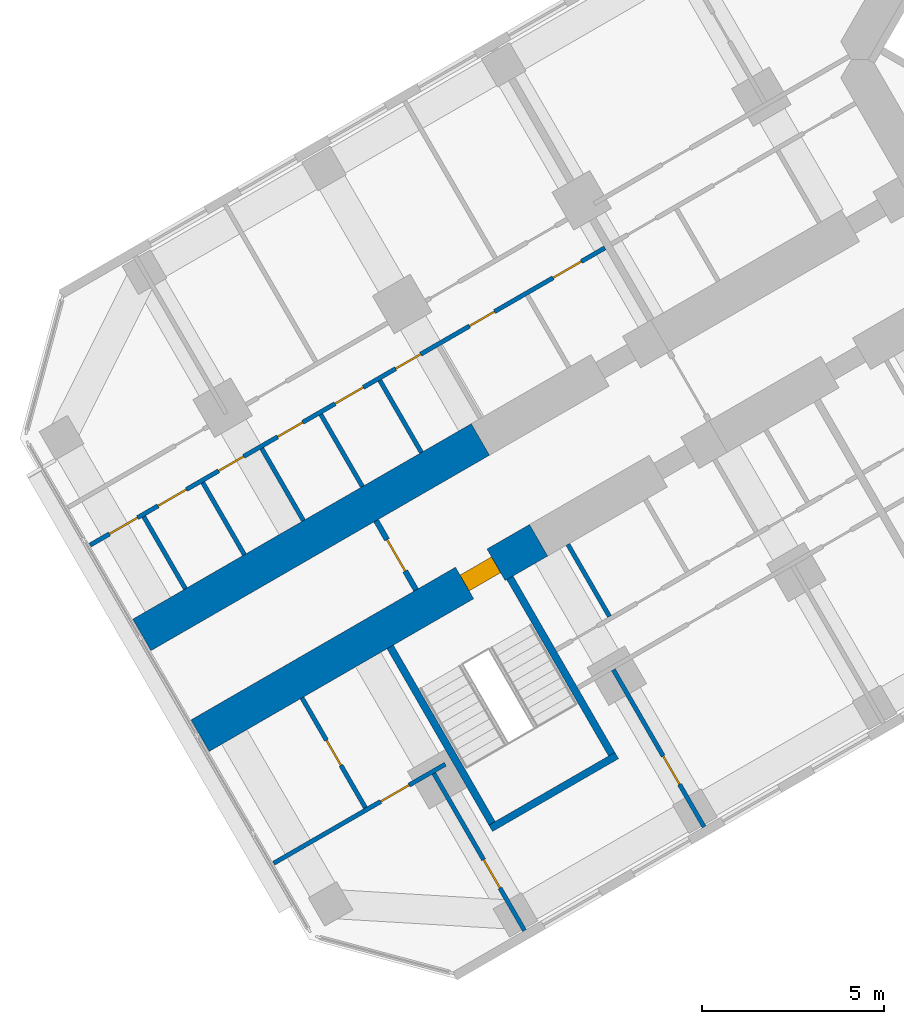
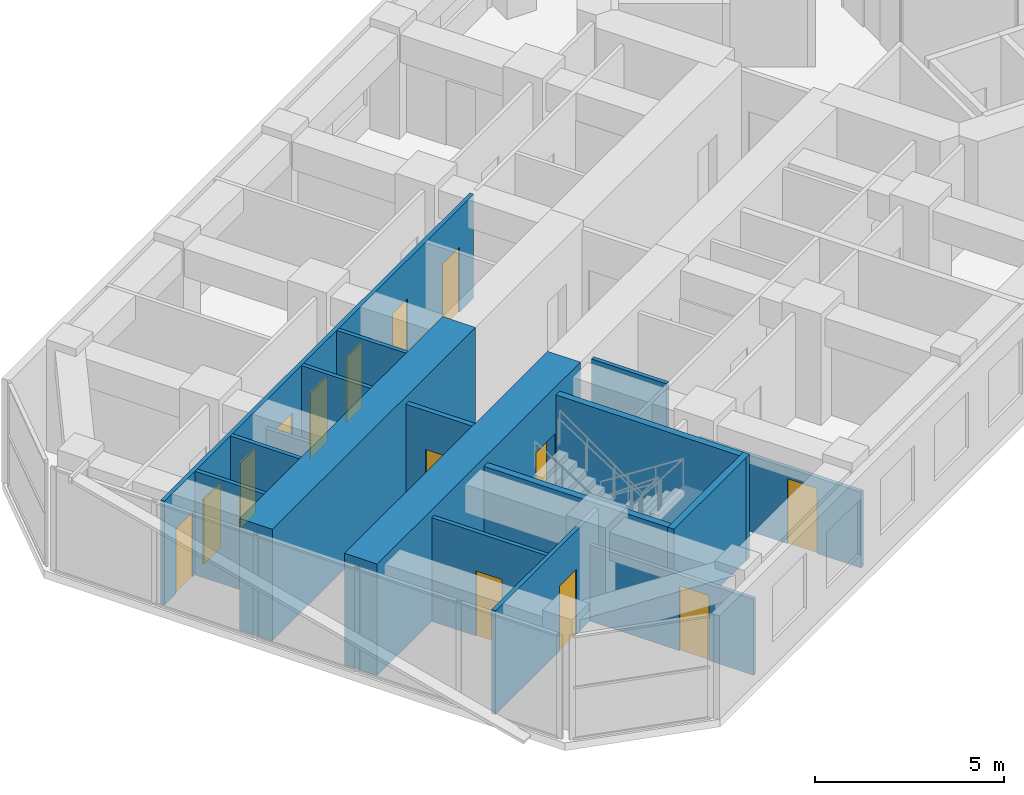
# One storey, part 10 of 21: 17 walls, 14 doors, 14 openings.
"""IFC4 building model written with IfcOpenShell, lengths in metres."""

import ifcopenshell
import ifcopenshell.guid

model = None  # the IFC model being written
_history = None  # IfcOwnerHistory: only IFC2X3 demands one
_inside = {}  # id of a spatial element -> (the spatial element, [elements in it])
_under = {}  # id of a project, library or spatial element -> (it, [spatial elements below it])
_declared = {}  # id of a project -> (the project, [libraries it declares])
_typed = {}  # id of a type object -> (the type object, [elements of that type])
_made_of = {}  # id of a material, layer set ... -> (it, [elements and type objects made of it])


def new_model(schema):
    """Start an empty IFC model of exactly this schema.

    Asked for "IFC4X3", IfcOpenShell would pick the latest addendum, in which some entities
    have other attributes; the version numbers below select the first issue.
    IFC2X3 requires an IfcOwnerHistory on every rooted entity: one is made here for all.
    """
    global model, _history
    if schema == "IFC4X3":
        model = ifcopenshell.file(schema_version=(4, 3, 0, 0))
    else:
        model = ifcopenshell.file(schema=schema)
    _inside.clear()
    _under.clear()
    _declared.clear()
    _typed.clear()
    _made_of.clear()
    _history = None
    if model.schema == "IFC2X3":
        org = make("IfcOrganization", Name="unknown")
        user = make(
            "IfcPersonAndOrganization",
            ThePerson=make("IfcPerson", FamilyName="unknown"),
            TheOrganization=org,
        )
        app = make(
            "IfcApplication",
            ApplicationDeveloper=org,
            Version="unknown",
            ApplicationFullName="unknown",
            ApplicationIdentifier="unknown",
        )
        _history = make(
            "IfcOwnerHistory",
            OwningUser=user,
            OwningApplication=app,
            ChangeAction="ADDED",
            CreationDate=0,
        )
    return model


def make(cls, **values):
    """One entity of the class cls with the attributes given. An attribute that is None is left unset."""
    return model.create_entity(
        cls, **{name: value for name, value in values.items() if value is not None}
    )


def rooted(cls, **values):
    """An entity with a GlobalId (a new one), such as an element, a storey or a relation."""
    return make(cls, GlobalId=ifcopenshell.guid.new(), OwnerHistory=_history, **values)


def si_unit(unit_type, name, prefix=None):
    """IfcSIUnit, for example si_unit("LENGTHUNIT", "METRE", prefix="MILLI")."""
    return make("IfcSIUnit", UnitType=unit_type, Prefix=prefix, Name=name)


def assignment(units):
    """IfcUnitAssignment: the units of a project."""
    return None if units is None else make("IfcUnitAssignment", Units=units)


def point(xyz):
    """IfcCartesianPoint."""
    return None if xyz is None else make("IfcCartesianPoint", Coordinates=xyz)


def direction(xyz):
    """IfcDirection."""
    return None if xyz is None else make("IfcDirection", DirectionRatios=xyz)


def frame(location, z_axis=None, x_axis=None):
    """IfcAxis2Placement3D, a coordinate frame: its origin and axes. An axis left out is left unset."""
    return make(
        "IfcAxis2Placement3D",
        Location=point(location),
        Axis=direction(z_axis),
        RefDirection=direction(x_axis),
    )


def frame_2d(location, x_axis=None):
    """IfcAxis2Placement2D, a coordinate frame in the plane: its origin and x axis."""
    return make(
        "IfcAxis2Placement2D", Location=point(location), RefDirection=direction(x_axis)
    )


def origin():
    """The frame at (0, 0, 0) with its axes left unset."""
    return frame((0.0, 0.0, 0.0))


def place(relative_to, where):
    """IfcLocalPlacement: puts the frame where relative to a parent placement (None: the world)."""
    return make(
        "IfcLocalPlacement", PlacementRelTo=relative_to, RelativePlacement=where
    )


def context(
    kind, dimensions, precision=None, world=None, true_north=None, identifier=None
):
    """IfcGeometricRepresentationContext, for example the 3D "Model" context."""
    return make(
        "IfcGeometricRepresentationContext",
        ContextIdentifier=identifier,
        ContextType=kind,
        CoordinateSpaceDimension=dimensions,
        Precision=precision,
        WorldCoordinateSystem=world,
        TrueNorth=true_north,
    )


def subcontext(parent, identifier, kind, view, scale=None):
    """IfcGeometricRepresentationSubContext, for example "Body" below "Model"."""
    return make(
        "IfcGeometricRepresentationSubContext",
        ContextIdentifier=identifier,
        ContextType=kind,
        ParentContext=parent,
        TargetScale=scale,
        TargetView=view,
    )


def project(units=None, contexts=None):
    """IfcProject with its units and contexts."""
    return rooted(
        "IfcProject",
        Name="project",
        RepresentationContexts=contexts,
        UnitsInContext=assignment(units),
    )


def spatial(cls, under=None, at=None, **own):
    """A site, building, storey or space (cls), placed at a placement, below another one or the project."""
    s = rooted(cls, ObjectPlacement=at, **own)
    if under is not None:
        _under.setdefault(under.id(), (under, []))[1].append(s)
    return s


def profile(cls, at=None, kind="AREA", **sizes):
    """A parametric profile (cls). Its sizes go by their IFC names, for example OverallWidth=200.0."""
    return make(cls, ProfileType=kind, Position=at, **sizes)


def rectangle(**sizes):
    """IfcRectangleProfileDef."""
    return profile("IfcRectangleProfileDef", **sizes)


def extrude(swept, where, along, depth):
    """IfcExtrudedAreaSolid: the profile swept, set in the frame where, extruded along a direction by depth."""
    return make(
        "IfcExtrudedAreaSolid",
        SweptArea=swept,
        Position=where,
        ExtrudedDirection=direction(along),
        Depth=depth,
    )


def shape(context_of_items, identifier, shape_type, items):
    """IfcShapeRepresentation: the items that make up one representation, for example the "Body"."""
    return make(
        "IfcShapeRepresentation",
        ContextOfItems=context_of_items,
        RepresentationIdentifier=identifier,
        RepresentationType=shape_type,
        Items=items,
    )


def material(Name=None, Category=None):
    """IfcMaterial."""
    return make("IfcMaterial", Name=Name, Category=Category)


def layer(
    of_material, thickness, ventilated=None, Name=None, Category=None, Priority=None
):
    """IfcMaterialLayer: one layer of a wall or slab, of a material (None: an air gap)."""
    return make(
        "IfcMaterialLayer",
        Material=of_material,
        LayerThickness=thickness,
        IsVentilated=ventilated,
        Name=Name,
        Category=Category,
        Priority=Priority,
    )


def layer_set(layers, Name=None):
    """IfcMaterialLayerSet."""
    return make("IfcMaterialLayerSet", MaterialLayers=layers, LayerSetName=Name)


def made_of(thing, what):
    """Note that an element or type object is made of a material, layer set ...; save() writes the relation."""
    if what is not None:
        _made_of.setdefault(what.id(), (what, []))[1].append(thing)
    return thing


def type_object(cls, material=None, **own):
    """A type object (cls), such as IfcWallType, which elements share."""
    return made_of(rooted(cls, **own), material)


def element(
    cls,
    number,
    at=None,
    inside=None,
    cuts=None,
    type_object=None,
    material=None,
    context=None,
    identifier="Body",
    shape_type=None,
    held_by="IfcProductDefinitionShape",
    body=None,
    shapes=None,
    **own,
):
    """One element of the class cls, such as IfcWall. Its Tag is "e" and its number.

    at: its placement. inside: the storey or other place that contains it. cuts: it is an
    opening in that element (IfcRelVoidsElement). A single representation is given by context,
    identifier, shape_type and body (its items); several are given by shapes. held_by: the class
    of the entity that holds the representations. save() writes the other relations.
    """
    e = rooted(cls, Tag="e%d" % number, ObjectPlacement=at, **own)
    if body is not None:
        shapes = [shape(context, identifier, shape_type, body)]
    if shapes is not None:
        e.Representation = make(held_by, Representations=shapes)
    if inside is not None:
        _inside.setdefault(inside.id(), (inside, []))[1].append(e)
    if cuts is not None:
        rooted(
            "IfcRelVoidsElement", RelatingBuildingElement=cuts, RelatedOpeningElement=e
        )
    if type_object is not None:
        _typed.setdefault(type_object.id(), (type_object, []))[1].append(e)
    return made_of(e, material)


def fill(opening, filler):
    """IfcRelFillsElement: the door or window that sits in an opening."""
    return rooted(
        "IfcRelFillsElement",
        RelatingOpeningElement=opening,
        RelatedBuildingElement=filler,
    )


def aggregate(whole, parts):
    """IfcRelAggregates: a whole, such as a stair, and the parts it consists of."""
    return rooted("IfcRelAggregates", RelatingObject=whole, RelatedObjects=parts)


def save(model, path):
    """Write the relations noted so far, then the file.

    IfcRelAggregates (storeys below a building ...), IfcRelContainedInSpatialStructure (elements
    in a storey), IfcRelDefinesByType, IfcRelAssociatesMaterial and IfcRelDeclares: one each for
    every whole, place, type object, material and project.
    """
    for whole, parts in _under.values():
        aggregate(whole, parts)
    for where, things in _inside.values():
        rooted(
            "IfcRelContainedInSpatialStructure",
            RelatedElements=things,
            RelatingStructure=where,
        )
    for kind, things in _typed.values():
        rooted("IfcRelDefinesByType", RelatedObjects=things, RelatingType=kind)
    for what, things in _made_of.values():
        rooted("IfcRelAssociatesMaterial", RelatedObjects=things, RelatingMaterial=what)
    for by, libraries in _declared.values():
        rooted("IfcRelDeclares", RelatingContext=by, RelatedDefinitions=libraries)
    model.write(path)


model = new_model("IFC4")

# Units and contexts
model_context = context("Model", 3, precision=1e-05, world=origin(), true_north=direction((0.0, 1.0)))
body_context = subcontext(model_context, "Body", "Model", "MODEL_VIEW")
ifc_project = project(units=[si_unit("LENGTHUNIT", "METRE"), si_unit("AREAUNIT", "SQUARE_METRE"), si_unit("VOLUMEUNIT", "CUBIC_METRE"), si_unit("PLANEANGLEUNIT", "RADIAN"), si_unit("MASSUNIT", "GRAM", prefix="KILO")], contexts=[model_context])

# Site, building, storey
site_placement = place(None, origin())
site = spatial("IfcSite", under=ifc_project, at=site_placement, CompositionType="ELEMENT")
building_placement = place(site_placement, origin())
building = spatial("IfcBuilding", under=site, at=building_placement, Name="Kosmar Iwan School Tower", CompositionType="ELEMENT")
storey_placement = place(building_placement, frame((0.0, 0.0, 102.39990234375)))
storey = spatial("IfcBuildingStorey", under=building, at=storey_placement, Name="L25", CompositionType="ELEMENT", Elevation=102.39990234375)

# Wall, opening, door
ifc_material_1 = material(Name="Concrete C50/60", Category="concrete")
ifc_layer_1 = layer(ifc_material_1, 1.0)
ifc_layer_set_1 = layer_set([ifc_layer_1], Name="Corridor buttress wall 1000")
wall_type_1 = type_object("IfcWallType", Name="Corridor buttress wall 1000", PredefinedType="SHEAR", material=ifc_layer_set_1)
wall_1_placement = place(storey_placement, frame((-19.681396484375, -13.210693359375, 0.0), z_axis=(0.0, 0.0, 1.0), x_axis=(-0.866028186671, -0.499995179869, 0.0)))
wall_1 = element("IfcWall", 1, at=wall_1_placement, inside=storey, type_object=wall_type_1, Name="Corridor wall BL bay 3", PredefinedType="SHEAR", context=body_context, shape_type="SweptSolid", body=[
    extrude(rectangle(XDim=10.7451171875, YDim=1.0, at=frame_2d((5.37255859375, 0.0))), origin(), (0.0, 0.0, 1.0), 3.60009765625),
])
opening_1_placement = place(wall_1_placement, frame((1.35009765625, 0.0, 0.0)))
opening_1 = element("IfcOpeningElement", 2, at=opening_1_placement, cuts=wall_1, Name="Opening D6", PredefinedType="OPENING", context=body_context, shape_type="SweptSolid", body=[
    extrude(rectangle(XDim=1.0, YDim=2.10009765625, at=frame_2d((0.5, 1.050048828125))), frame((0.0, 0.511962890625, 0.0), z_axis=(0.0, -1.0, 0.0), x_axis=(1.0, 0.0, 0.0)), (0.0, 0.0, 1.0), 1.02392578125),
])
ifc_material_2 = material(Name="Steel fire door", Category="steel")
door_type_1 = type_object("IfcDoorType", Name="Stair door 1000x2100", OperationType="SINGLE_SWING_LEFT", PredefinedType="DOOR", material=ifc_material_2)
door_1_placement = place(opening_1_placement, origin())
door_1 = element("IfcDoor", 3, at=door_1_placement, inside=storey, type_object=door_type_1, Name="Stair WS2 door L25", OperationType="SINGLE_SWING_LEFT", OverallHeight=2.10009765625, OverallWidth=1.0, PredefinedType="DOOR", context=body_context, shape_type="SweptSolid", body=[
    extrude(rectangle(XDim=1.0, YDim=2.10009765625, at=frame_2d((0.5, 1.050048828125))), frame((0.0, 0.25, 0.0), z_axis=(0.0, -1.0, 0.0), x_axis=(1.0, 0.0, 0.0)), (0.0, 0.0, 1.0), 0.5),
])
fill(opening_1, door_1)

# Wall
wall_2_placement = place(storey_placement, frame((-21.281494140625, -10.439453125, 0.0), z_axis=(0.0, 0.0, 1.0), x_axis=(-0.866032345022, -0.499987977232, 0.0)))
element("IfcWall", 4, at=wall_2_placement, inside=storey, type_object=wall_type_1, Name="Corridor wall BR bay 3", PredefinedType="SHEAR", context=body_context, shape_type="SweptSolid", body=[
    extrude(rectangle(XDim=10.744873046875, YDim=1.0, at=frame_2d((5.37255859375, 0.0))), origin(), (0.0, 0.0, 1.0), 3.60009765625),
])

# Wall, opening, door
ifc_material_3 = material(Name="Gypsum board on steel studs, fire-rated", Category="steel")
ifc_layer_2 = layer(ifc_material_3, 0.14990234375)
ifc_layer_set_2 = layer_set([ifc_layer_2], Name="Corridor end wall 150")
wall_type_2 = type_object("IfcWallType", Name="Corridor end wall 150", PredefinedType="PARTITIONING", material=ifc_layer_set_2)
wall_3_placement = place(storey_placement, frame((-24.149169921875, -12.67236328125, 0.0), z_axis=(0.0, 0.0, 1.0), x_axis=(0.50002983664, -0.866008176907, 0.0)))
wall_3 = element("IfcWall", 5, at=wall_3_placement, inside=storey, type_object=wall_type_2, Name="Partition L25-B-CE", PredefinedType="PARTITIONING", context=body_context, shape_type="SweptSolid", body=[
    extrude(rectangle(XDim=2.199951171875, YDim=0.14990234375, at=frame_2d((1.10009765625, 0.0))), origin(), (0.0, 0.0, 1.0), 3.35009765625),
])
opening_2_placement = place(wall_3_placement, frame((0.60009765625, 0.0, 0.0)))
opening_2 = element("IfcOpeningElement", 6, at=opening_2_placement, cuts=wall_3, Name="Opening D13", PredefinedType="OPENING", context=body_context, shape_type="SweptSolid", body=[
    extrude(rectangle(XDim=1.0, YDim=2.10009765625, at=frame_2d((0.5, 1.050048828125))), frame((0.0, 0.0869140625, 0.0), z_axis=(0.0, -1.0, 0.0), x_axis=(1.0, 0.0, 0.0)), (0.0, 0.0, 1.0), 0.173828125),
])
ifc_material_4 = material(Name="Timber fire door with vision panel", Category="wood")
door_type_2 = type_object("IfcDoorType", Name="Corridor end door 1000x2100", OperationType="SINGLE_SWING_LEFT", PredefinedType="DOOR", material=ifc_material_4)
door_2_placement = place(opening_2_placement, origin())
door_2 = element("IfcDoor", 7, at=door_2_placement, inside=storey, type_object=door_type_2, Name="Reading room door L25-B", OperationType="SINGLE_SWING_RIGHT", OverallHeight=2.10009765625, OverallWidth=1.0, PredefinedType="DOOR", context=body_context, shape_type="SweptSolid", body=[
    extrude(rectangle(XDim=1.0, YDim=2.10009765625, at=frame_2d((0.5, 1.050048828125))), frame((0.0, 0.02490234375, 0.0), z_axis=(0.0, -1.0, 0.0), x_axis=(1.0, 0.0, 0.0)), (0.0, 0.0, 1.0), 0.050048828125),
])
fill(opening_2, door_2)

# Wall
ifc_material_5 = material(Name="Gypsum board on steel studs", Category="steel")
ifc_layer_3 = layer(ifc_material_5, 0.1201171875)
ifc_layer_set_3 = layer_set([ifc_layer_3], Name="Dwelling partition 120")
wall_type_3 = type_object("IfcWallType", Name="Dwelling partition 120", PredefinedType="PARTITIONING", material=ifc_layer_set_3)
wall_4_placement = place(storey_placement, frame((-18.877197265625, -13.32373046875, 0.0), z_axis=(0.0, 0.0, 1.0), x_axis=(0.500014693593, -0.866016920268, 0.0)))
element("IfcWall", 8, at=wall_4_placement, inside=storey, type_object=wall_type_3, Name="Partition L25-BL2-Y4", PredefinedType="PARTITIONING", context=body_context, shape_type="SweptSolid", body=[
    extrude(rectangle(XDim=2.2900390625, YDim=0.1201171875, at=frame_2d((1.14501953125, 0.0))), origin(), (0.0, 0.0, 1.0), 3.35009765625),
])

# Wall, opening, door
wall_5_placement = place(storey_placement, frame((-17.62646484375, -16.77001953125, 0.0), z_axis=(0.0, 0.0, 1.0), x_axis=(0.499975153383, -0.86603974851, 0.0)))
wall_5 = element("IfcWall", 9, at=wall_5_placement, inside=storey, type_object=wall_type_3, Name="Partition L25-BL2-TB", PredefinedType="PARTITIONING", context=body_context, shape_type="SweptSolid", body=[
    extrude(rectangle(XDim=4.989990234375, YDim=0.1201171875, at=frame_2d((2.4951171875, 0.0))), origin(), (0.0, 0.0, 1.0), 2.4501953125),
])
opening_3_placement = place(wall_5_placement, frame((2.739990234375, 0.0, 0.0)))
opening_3 = element("IfcOpeningElement", 10, at=opening_3_placement, cuts=wall_5, Name="Opening D2", PredefinedType="OPENING", context=body_context, shape_type="SweptSolid", body=[
    extrude(rectangle(XDim=0.89990234375, YDim=2.10009765625, at=frame_2d((0.449951171875, 1.050048828125))), frame((0.0, 0.072021484375, 0.0), z_axis=(0.0, -1.0, 0.0), x_axis=(1.0, 0.0, 0.0)), (0.0, 0.0, 1.0), 0.14404296875),
])
ifc_material_6 = material(Name="Timber door in timber frame", Category="wood")
door_type_3 = type_object("IfcDoorType", Name="Internal door 900x2100", OperationType="SINGLE_SWING_LEFT", PredefinedType="DOOR", material=ifc_material_6)
door_3_placement = place(opening_3_placement, origin())
door_3 = element("IfcDoor", 11, at=door_3_placement, inside=storey, type_object=door_type_3, Name="Study door L25-BL2-F2", OperationType="SINGLE_SWING_RIGHT", OverallHeight=2.10009765625, OverallWidth=0.89990234375, PredefinedType="DOOR", context=body_context, shape_type="SweptSolid", body=[
    extrude(rectangle(XDim=0.89990234375, YDim=2.10009765625, at=frame_2d((0.449951171875, 1.050048828125))), frame((0.0, 0.02490234375, 0.0), z_axis=(0.0, -1.0, 0.0), x_axis=(1.0, 0.0, 0.0)), (0.0, 0.0, 1.0), 0.050048828125),
])
fill(opening_3, door_3)

wall_6_placement = place(storey_placement, frame((-22.562744140625, -19.6201171875, 0.0), z_axis=(0.0, 0.0, 1.0), x_axis=(0.499996339024, -0.86602751744, 0.0)))
wall_6 = element("IfcWall", 12, at=wall_6_placement, inside=storey, type_object=wall_type_3, Name="Partition L25-BL2-TX", PredefinedType="PARTITIONING", context=body_context, shape_type="SweptSolid", body=[
    extrude(rectangle(XDim=4.98974609375, YDim=0.1201171875, at=frame_2d((2.494873046875, 0.0))), origin(), (0.0, 0.0, 1.0), 2.4501953125),
])
opening_4_placement = place(wall_6_placement, frame((2.739990234375, 0.0, 0.0)))
opening_4 = element("IfcOpeningElement", 13, at=opening_4_placement, cuts=wall_6, Name="Opening D2", PredefinedType="OPENING", context=body_context, shape_type="SweptSolid", body=[
    extrude(rectangle(XDim=0.89990234375, YDim=2.10009765625, at=frame_2d((0.449951171875, 1.050048828125))), frame((0.0, 0.072021484375, 0.0), z_axis=(0.0, -1.0, 0.0), x_axis=(1.0, 0.0, 0.0)), (0.0, 0.0, 1.0), 0.14404296875),
])
door_4_placement = place(opening_4_placement, origin())
door_4 = element("IfcDoor", 14, at=door_4_placement, inside=storey, type_object=door_type_3, Name="Study door L25-BL2-T1", OperationType="SINGLE_SWING_RIGHT", OverallHeight=2.10009765625, OverallWidth=0.89990234375, PredefinedType="DOOR", context=body_context, shape_type="SweptSolid", body=[
    extrude(rectangle(XDim=0.89990234375, YDim=2.10009765625, at=frame_2d((0.449951171875, 1.050048828125))), frame((0.0, 0.02490234375, 0.0), z_axis=(0.0, -1.0, 0.0), x_axis=(1.0, 0.0, 0.0)), (0.0, 0.0, 1.0), 0.050048828125),
])
fill(opening_4, door_4)

wall_7_placement = place(storey_placement, frame((-22.246337890625, -19.3681640625, 0.0), z_axis=(0.0, 0.0, 1.0), x_axis=(-0.866035508231, -0.499982498177, 0.0)))
wall_7 = element("IfcWall", 15, at=wall_7_placement, inside=storey, type_object=wall_type_3, Name="Partition L25-BL2-TW", PredefinedType="PARTITIONING", context=body_context, shape_type="SweptSolid", body=[
    extrude(rectangle(XDim=5.445068359375, YDim=0.1201171875, at=frame_2d((2.72265625, 0.0))), origin(), (0.0, 0.0, 1.0), 3.35009765625),
])
opening_5_placement = place(wall_7_placement, frame((1.14990234375, 0.0, 0.0)))
opening_5 = element("IfcOpeningElement", 16, at=opening_5_placement, cuts=wall_7, Name="Opening D2", PredefinedType="OPENING", context=body_context, shape_type="SweptSolid", body=[
    extrude(rectangle(XDim=0.89990234375, YDim=2.10009765625, at=frame_2d((0.449951171875, 1.050048828125))), frame((0.0, 0.072021484375, 0.0), z_axis=(0.0, -1.0, 0.0), x_axis=(1.0, 0.0, 0.0)), (0.0, 0.0, 1.0), 0.14404296875),
])
door_5_placement = place(opening_5_placement, origin())
door_5 = element("IfcDoor", 17, at=door_5_placement, inside=storey, type_object=door_type_3, Name="Dressing room door L25-BL2-T3", OperationType="SINGLE_SWING_LEFT", OverallHeight=2.10009765625, OverallWidth=0.89990234375, PredefinedType="DOOR", context=body_context, shape_type="SweptSolid", body=[
    extrude(rectangle(XDim=0.89990234375, YDim=2.10009765625, at=frame_2d((0.449951171875, 1.050048828125))), frame((0.0, 0.02490234375, 0.0), z_axis=(0.0, -1.0, 0.0), x_axis=(1.0, 0.0, 0.0)), (0.0, 0.0, 1.0), 0.050048828125),
])
fill(opening_5, door_5)

wall_8_placement = place(storey_placement, frame((-26.1865234375, -17.543701171875, 0.0), z_axis=(0.0, 0.0, 1.0), x_axis=(0.50002117804, -0.866013176292, 0.0)))
wall_8 = element("IfcWall", 18, at=wall_8_placement, inside=storey, type_object=wall_type_3, Name="Partition L25-BL2-TY", PredefinedType="PARTITIONING", context=body_context, shape_type="SweptSolid", body=[
    extrude(rectangle(XDim=3.489990234375, YDim=0.1201171875, at=frame_2d((1.7451171875, 0.0))), origin(), (0.0, 0.0, 1.0), 3.35009765625),
])
opening_6_placement = place(wall_8_placement, frame((1.344970703125, 0.0, 0.0)))
opening_6 = element("IfcOpeningElement", 19, at=opening_6_placement, cuts=wall_8, Name="Opening D3", PredefinedType="OPENING", context=body_context, shape_type="SweptSolid", body=[
    extrude(rectangle(XDim=0.800048828125, YDim=2.10009765625, at=frame_2d((0.39990234375, 1.050048828125))), frame((0.0, 0.072021484375, 0.0), z_axis=(0.0, -1.0, 0.0), x_axis=(1.0, 0.0, 0.0)), (0.0, 0.0, 1.0), 0.14404296875),
])
ifc_material_7 = material(Name="Timber door in timber frame", Category="wood")
door_type_4 = type_object("IfcDoorType", Name="Sanitary room door 800x2100", OperationType="SINGLE_SWING_LEFT", PredefinedType="DOOR", material=ifc_material_7)
door_6_placement = place(opening_6_placement, origin())
door_6 = element("IfcDoor", 20, at=door_6_placement, inside=storey, type_object=door_type_4, Name="Shower room door L25-BL2-T4", OperationType="SINGLE_SWING_RIGHT", OverallHeight=2.10009765625, OverallWidth=0.800048828125, PredefinedType="DOOR", context=body_context, shape_type="SweptSolid", body=[
    extrude(rectangle(XDim=0.800048828125, YDim=2.10009765625, at=frame_2d((0.39990234375, 1.050048828125))), frame((0.0, 0.02490234375, 0.0), z_axis=(0.0, -1.0, 0.0), x_axis=(1.0, 0.0, 0.0)), (0.0, 0.0, 1.0), 0.050048828125),
])
fill(opening_6, door_6)

# Wall, openings, doors
wall_9_placement = place(storey_placement, frame((-17.856689453125, -5.171142578125, 0.0), z_axis=(0.0, 0.0, 1.0), x_axis=(-0.866023907196, -0.500002592159, 0.0)))
wall_9 = element("IfcWall", 21, at=wall_9_placement, inside=storey, type_object=wall_type_3, Name="Partition L25-BR2-W1", PredefinedType="PARTITIONING", context=body_context, shape_type="SweptSolid", body=[
    extrude(rectangle(XDim=16.34521484375, YDim=0.1201171875, at=frame_2d((8.172607421875, 0.0))), origin(), (0.0, 0.0, 1.0), 3.35009765625),
])
opening_7_placement = place(wall_9_placement, frame((0.75, 0.0, 0.0)))
opening_7 = element("IfcOpeningElement", 22, at=opening_7_placement, cuts=wall_9, Name="Opening D2", PredefinedType="OPENING", context=body_context, shape_type="SweptSolid", body=[
    extrude(rectangle(XDim=0.89990234375, YDim=2.10009765625, at=frame_2d((0.449951171875, 1.050048828125))), frame((0.0, 0.072021484375, 0.0), z_axis=(0.0, -1.0, 0.0), x_axis=(1.0, 0.0, 0.0)), (0.0, 0.0, 1.0), 0.14404296875),
])
opening_8_placement = place(wall_9_placement, frame((3.505126953125, 0.0, 0.0)))
opening_8 = element("IfcOpeningElement", 23, at=opening_8_placement, cuts=wall_9, Name="Opening D3", PredefinedType="OPENING", context=body_context, shape_type="SweptSolid", body=[
    extrude(rectangle(XDim=0.800048828125, YDim=2.10009765625, at=frame_2d((0.39990234375, 1.050048828125))), frame((0.0, 0.072021484375, 0.0), z_axis=(0.0, -1.0, 0.0), x_axis=(1.0, 0.0, 0.0)), (0.0, 0.0, 1.0), 0.14404296875),
])
opening_9_placement = place(wall_9_placement, frame((5.8466796875, 0.0, 0.0)))
opening_9 = element("IfcOpeningElement", 24, at=opening_9_placement, cuts=wall_9, Name="Opening D3", PredefinedType="OPENING", context=body_context, shape_type="SweptSolid", body=[
    extrude(rectangle(XDim=0.800048828125, YDim=2.10009765625, at=frame_2d((0.39990234375, 1.050048828125))), frame((0.0, 0.072021484375, 0.0), z_axis=(0.0, -1.0, 0.0), x_axis=(1.0, 0.0, 0.0)), (0.0, 0.0, 1.0), 0.14404296875),
])
opening_10_placement = place(wall_9_placement, frame((7.669921875, 0.0, 0.0)))
opening_10 = element("IfcOpeningElement", 25, at=opening_10_placement, cuts=wall_9, Name="Opening D2", PredefinedType="OPENING", context=body_context, shape_type="SweptSolid", body=[
    extrude(rectangle(XDim=0.89990234375, YDim=2.10009765625, at=frame_2d((0.449951171875, 1.050048828125))), frame((0.0, 0.072021484375, 0.0), z_axis=(0.0, -1.0, 0.0), x_axis=(1.0, 0.0, 0.0)), (0.0, 0.0, 1.0), 0.14404296875),
])
opening_11_placement = place(wall_9_placement, frame((9.59326171875, 0.0, 0.0)))
opening_11 = element("IfcOpeningElement", 26, at=opening_11_placement, cuts=wall_9, Name="Opening D3", PredefinedType="OPENING", context=body_context, shape_type="SweptSolid", body=[
    extrude(rectangle(XDim=0.800048828125, YDim=2.10009765625, at=frame_2d((0.39990234375, 1.050048828125))), frame((0.0, 0.072021484375, 0.0), z_axis=(0.0, -1.0, 0.0), x_axis=(1.0, 0.0, 0.0)), (0.0, 0.0, 1.0), 0.14404296875),
])
opening_12_placement = place(wall_9_placement, frame((11.466796875, 0.0, 0.0)))
opening_12 = element("IfcOpeningElement", 27, at=opening_12_placement, cuts=wall_9, Name="Opening D3", PredefinedType="OPENING", context=body_context, shape_type="SweptSolid", body=[
    extrude(rectangle(XDim=0.800048828125, YDim=2.10009765625, at=frame_2d((0.39990234375, 1.050048828125))), frame((0.0, 0.072021484375, 0.0), z_axis=(0.0, -1.0, 0.0), x_axis=(1.0, 0.0, 0.0)), (0.0, 0.0, 1.0), 0.14404296875),
])
opening_13_placement = place(wall_9_placement, frame((13.2900390625, 0.0, 0.0)))
opening_13 = element("IfcOpeningElement", 28, at=opening_13_placement, cuts=wall_9, Name="Opening D2", PredefinedType="OPENING", context=body_context, shape_type="SweptSolid", body=[
    extrude(rectangle(XDim=0.89990234375, YDim=2.10009765625, at=frame_2d((0.449951171875, 1.050048828125))), frame((0.0, 0.072021484375, 0.0), z_axis=(0.0, -1.0, 0.0), x_axis=(1.0, 0.0, 0.0)), (0.0, 0.0, 1.0), 0.14404296875),
])
opening_14_placement = place(wall_9_placement, frame((14.836669921875, 0.0, 0.0)))
opening_14 = element("IfcOpeningElement", 29, at=opening_14_placement, cuts=wall_9, Name="Opening D2", PredefinedType="OPENING", context=body_context, shape_type="SweptSolid", body=[
    extrude(rectangle(XDim=0.89990234375, YDim=2.10009765625, at=frame_2d((0.449951171875, 1.050048828125))), frame((0.0, 0.072021484375, 0.0), z_axis=(0.0, -1.0, 0.0), x_axis=(1.0, 0.0, 0.0)), (0.0, 0.0, 1.0), 0.14404296875),
])
door_7_placement = place(opening_7_placement, origin())
door_7 = element("IfcDoor", 30, at=door_7_placement, inside=storey, type_object=door_type_3, Name="Entrance hall door L25-BR2-S1", OperationType="SINGLE_SWING_LEFT", OverallHeight=2.10009765625, OverallWidth=0.89990234375, PredefinedType="DOOR", context=body_context, shape_type="SweptSolid", body=[
    extrude(rectangle(XDim=0.89990234375, YDim=2.10009765625, at=frame_2d((0.449951171875, 1.050048828125))), frame((0.0, 0.02490234375, 0.0), z_axis=(0.0, -1.0, 0.0), x_axis=(1.0, 0.0, 0.0)), (0.0, 0.0, 1.0), 0.050048828125),
])
fill(opening_7, door_7)
door_8_placement = place(opening_10_placement, origin())
door_8 = element("IfcDoor", 31, at=door_8_placement, inside=storey, type_object=door_type_3, Name="Pantry door L25-BR2-S4", OperationType="SINGLE_SWING_RIGHT", OverallHeight=2.10009765625, OverallWidth=0.89990234375, PredefinedType="DOOR", context=body_context, shape_type="SweptSolid", body=[
    extrude(rectangle(XDim=0.89990234375, YDim=2.10009765625, at=frame_2d((0.449951171875, 1.050048828125))), frame((0.0, 0.02490234375, 0.0), z_axis=(0.0, -1.0, 0.0), x_axis=(1.0, 0.0, 0.0)), (0.0, 0.0, 1.0), 0.050048828125),
])
fill(opening_10, door_8)
door_9_placement = place(opening_13_placement, origin())
door_9 = element("IfcDoor", 32, at=door_9_placement, inside=storey, type_object=door_type_3, Name="Utility room door L25-BR2-S7", OperationType="SINGLE_SWING_LEFT", OverallHeight=2.10009765625, OverallWidth=0.89990234375, PredefinedType="DOOR", context=body_context, shape_type="SweptSolid", body=[
    extrude(rectangle(XDim=0.89990234375, YDim=2.10009765625, at=frame_2d((0.449951171875, 1.050048828125))), frame((0.0, 0.02490234375, 0.0), z_axis=(0.0, -1.0, 0.0), x_axis=(1.0, 0.0, 0.0)), (0.0, 0.0, 1.0), 0.050048828125),
])
fill(opening_13, door_9)
door_10_placement = place(opening_14_placement, origin())
door_10 = element("IfcDoor", 33, at=door_10_placement, inside=storey, type_object=door_type_3, Name="Dressing room door L25-BR2-S8", OperationType="SINGLE_SWING_LEFT", OverallHeight=2.10009765625, OverallWidth=0.89990234375, PredefinedType="DOOR", context=body_context, shape_type="SweptSolid", body=[
    extrude(rectangle(XDim=0.89990234375, YDim=2.10009765625, at=frame_2d((0.449951171875, 1.050048828125))), frame((0.0, 0.02490234375, 0.0), z_axis=(0.0, -1.0, 0.0), x_axis=(1.0, 0.0, 0.0)), (0.0, 0.0, 1.0), 0.050048828125),
])
fill(opening_14, door_10)
door_11_placement = place(opening_8_placement, origin())
door_11 = element("IfcDoor", 34, at=door_11_placement, inside=storey, type_object=door_type_4, Name="Bathroom door L25-BR2-S2", OperationType="SINGLE_SWING_RIGHT", OverallHeight=2.10009765625, OverallWidth=0.800048828125, PredefinedType="DOOR", context=body_context, shape_type="SweptSolid", body=[
    extrude(rectangle(XDim=0.800048828125, YDim=2.10009765625, at=frame_2d((0.39990234375, 1.050048828125))), frame((0.0, 0.02490234375, 0.0), z_axis=(0.0, -1.0, 0.0), x_axis=(1.0, 0.0, 0.0)), (0.0, 0.0, 1.0), 0.050048828125),
])
fill(opening_8, door_11)
door_12_placement = place(opening_9_placement, origin())
door_12 = element("IfcDoor", 35, at=door_12_placement, inside=storey, type_object=door_type_4, Name="Shower room door L25-BR2-S3", OperationType="SINGLE_SWING_LEFT", OverallHeight=2.10009765625, OverallWidth=0.800048828125, PredefinedType="DOOR", context=body_context, shape_type="SweptSolid", body=[
    extrude(rectangle(XDim=0.800048828125, YDim=2.10009765625, at=frame_2d((0.39990234375, 1.050048828125))), frame((0.0, 0.02490234375, 0.0), z_axis=(0.0, -1.0, 0.0), x_axis=(1.0, 0.0, 0.0)), (0.0, 0.0, 1.0), 0.050048828125),
])
fill(opening_9, door_12)
door_13_placement = place(opening_11_placement, origin())
door_13 = element("IfcDoor", 36, at=door_13_placement, inside=storey, type_object=door_type_4, Name="WC door L25-BR2-S5", OperationType="SINGLE_SWING_LEFT", OverallHeight=2.10009765625, OverallWidth=0.800048828125, PredefinedType="DOOR", context=body_context, shape_type="SweptSolid", body=[
    extrude(rectangle(XDim=0.800048828125, YDim=2.10009765625, at=frame_2d((0.39990234375, 1.050048828125))), frame((0.0, 0.02490234375, 0.0), z_axis=(0.0, -1.0, 0.0), x_axis=(1.0, 0.0, 0.0)), (0.0, 0.0, 1.0), 0.050048828125),
])
fill(opening_11, door_13)
door_14_placement = place(opening_12_placement, origin())
door_14 = element("IfcDoor", 37, at=door_14_placement, inside=storey, type_object=door_type_4, Name="Store door L25-BR2-S6", OperationType="SINGLE_SWING_RIGHT", OverallHeight=2.10009765625, OverallWidth=0.800048828125, PredefinedType="DOOR", context=body_context, shape_type="SweptSolid", body=[
    extrude(rectangle(XDim=0.800048828125, YDim=2.10009765625, at=frame_2d((0.39990234375, 1.050048828125))), frame((0.0, 0.02490234375, 0.0), z_axis=(0.0, -1.0, 0.0), x_axis=(1.0, 0.0, 0.0)), (0.0, 0.0, 1.0), 0.050048828125),
])
fill(opening_12, door_14)

# Walls
wall_10_placement = place(storey_placement, frame((-22.902587890625, -10.798095703125, 0.0), z_axis=(0.0, 0.0, 1.0), x_axis=(-0.499968531483, 0.866043571379, 0.0)))
element("IfcWall", 38, at=wall_10_placement, inside=storey, type_object=wall_type_3, Name="Partition L25-BR2-Y3", PredefinedType="PARTITIONING", context=body_context, shape_type="SweptSolid", body=[
    extrude(rectangle(XDim=2.290283203125, YDim=0.1201171875, at=frame_2d((1.14501953125, 0.0))), origin(), (0.0, 0.0, 1.0), 3.35009765625),
])
wall_11_placement = place(storey_placement, frame((-24.525146484375, -11.734619140625, 0.0), z_axis=(0.0, 0.0, 1.0), x_axis=(-0.500014693593, 0.866016920268, 0.0)))
element("IfcWall", 39, at=wall_11_placement, inside=storey, type_object=wall_type_3, Name="Partition L25-BR2-Y4", PredefinedType="PARTITIONING", context=body_context, shape_type="SweptSolid", body=[
    extrude(rectangle(XDim=2.2900390625, YDim=0.1201171875, at=frame_2d((1.14501953125, 0.0))), origin(), (0.0, 0.0, 1.0), 3.35009765625),
])
wall_12_placement = place(storey_placement, frame((-26.1474609375, -12.67138671875, 0.0), z_axis=(0.0, 0.0, 1.0), x_axis=(-0.500014693593, 0.866016920268, 0.0)))
element("IfcWall", 40, at=wall_12_placement, inside=storey, type_object=wall_type_3, Name="Partition L25-BR2-Y5", PredefinedType="PARTITIONING", context=body_context, shape_type="SweptSolid", body=[
    extrude(rectangle(XDim=2.2900390625, YDim=0.1201171875, at=frame_2d((1.14501953125, 0.0))), origin(), (0.0, 0.0, 1.0), 2.4501953125),
])
for number, where, z_axis, x_axis, name in (
    (41, (-27.769775390625, -13.60791015625, 0.0), (0.0, 0.0, 1.0), (-0.500014693593, 0.866016920268, 0.0), "Partition L25-BR2-Y6"),
    (42, (-29.39208984375, -14.544677734375, 0.0), (0.0, 0.0, 1.0), (-0.500014693593, 0.866016920268, 0.0), "Partition L25-BR2-Y7"),
):
    element("IfcWall", number, at=place(storey_placement, frame(where, z_axis=z_axis, x_axis=x_axis)), inside=storey, type_object=wall_type_3, Name=name, PredefinedType="PARTITIONING", context=body_context, shape_type="SweptSolid", body=[
        extrude(rectangle(XDim=2.2900390625, YDim=0.1201171875, at=frame_2d((1.14501953125, 0.0))), origin(), (0.0, 0.0, 1.0), 3.35009765625),
    ])
ifc_material_8 = material(Name="Concrete C35/45", Category="concrete")
ifc_layer_4 = layer(ifc_material_8, 0.199951171875)
ifc_layer_set_4 = layer_set([ifc_layer_4], Name="Escape stair wall 200")
wall_type_4 = type_object("IfcWallType", Name="Escape stair wall 200", PredefinedType="SHEAR", material=ifc_layer_set_4)
for number, where, z_axis, x_axis, name in (
    (43, (-20.470703125, -14.24365234375, 0.0), (0.0, 0.0, 1.0), (0.499987231761, -0.866032775405, 0.0), "Stair WS2 wall"),
    (44, (-23.76171875, -16.1435546875, 0.0), (0.0, 0.0, 1.0), (0.500018801468, -0.86601454848, 0.0), "Stair WS2 wall"),
):
    element("IfcWall", number, at=place(storey_placement, frame(where, z_axis=z_axis, x_axis=x_axis)), inside=storey, type_object=wall_type_4, Name=name, PredefinedType="SHEAR", context=body_context, shape_type="SweptSolid", body=[
        extrude(rectangle(XDim=5.800048828125, YDim=0.199951171875, at=frame_2d((2.89990234375, 0.0))), origin(), (0.0, 0.0, 1.0), 3.330078125),
    ])
wall_13_placement = place(storey_placement, frame((-17.5341796875, -19.1298828125, 0.0), z_axis=(0.0, 0.0, 1.0), x_axis=(-0.866026010844, -0.49999894854, 0.0)))
element("IfcWall", 45, at=wall_13_placement, inside=storey, type_object=wall_type_4, Name="Stair WS2 wall", PredefinedType="SHEAR", context=body_context, shape_type="SweptSolid", body=[
    extrude(rectangle(XDim=4.0, YDim=0.199951171875, at=frame_2d((2.0, 0.0))), origin(), (0.0, 0.0, 1.0), 3.330078125),
])

save(model, "model.ifc")
